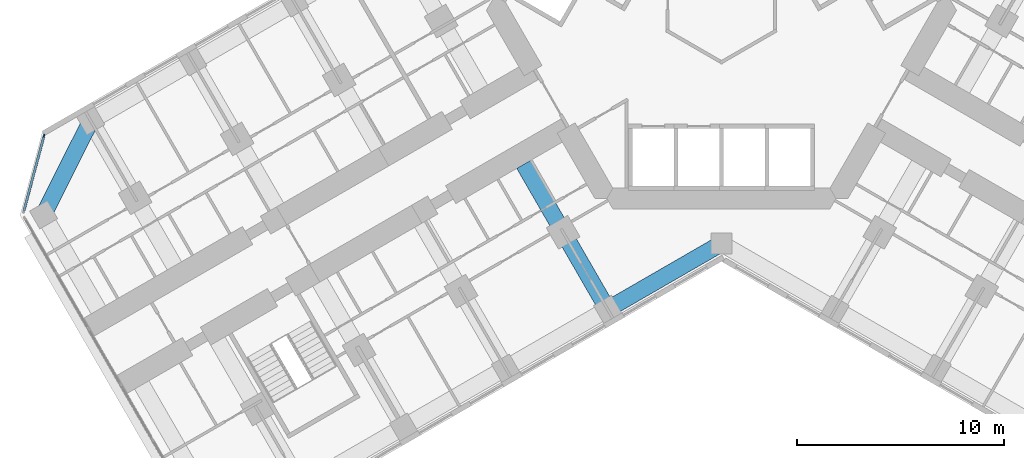
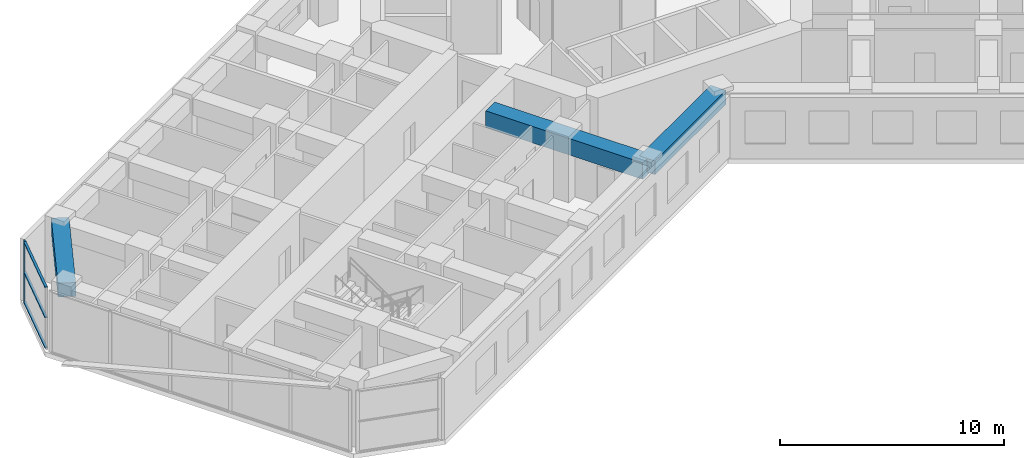
# One storey, part 3 of 21: 4 members, 3 beams, 1 element without a shape of its own.
"""IFC4 building model written with IfcOpenShell, lengths in metres."""

from ifc_helpers import new_model, si_unit, direction, frame, origin, origin_2d, place, context, subcontext, project, spatial, rectangle, extrude, material, material_profile, profile_set, type_object, element, aggregate, save


model = new_model("IFC4")

# Units and contexts
model_context = context("Model", 3, precision=1e-05, world=origin(), true_north=direction((0.0, 1.0)))
body_context = subcontext(model_context, "Body", "Model", "MODEL_VIEW")
ifc_project = project(units=[si_unit("LENGTHUNIT", "METRE"), si_unit("AREAUNIT", "SQUARE_METRE"), si_unit("VOLUMEUNIT", "CUBIC_METRE"), si_unit("PLANEANGLEUNIT", "RADIAN"), si_unit("MASSUNIT", "GRAM", prefix="KILO")], contexts=[model_context])

# Site, building, storey
site_placement = place(None, origin())
site = spatial("IfcSite", under=ifc_project, at=site_placement, CompositionType="ELEMENT")
building_placement = place(site_placement, origin())
building = spatial("IfcBuilding", under=site, at=building_placement, Name="Kosmar Iwan School Tower", CompositionType="ELEMENT")
storey_placement = place(building_placement, frame((0.0, 0.0, 46.60009765625)))
storey = spatial("IfcBuildingStorey", under=building, at=storey_placement, Name="L10", CompositionType="ELEMENT", Elevation=46.60009765625)

# Curtain wall, member
ifc_material_1 = material(Name="Dark glass in black aluminium frame", Category="aluminium")
curtain_wall_type = type_object("IfcCurtainWallType", Name="Chamfer curtain wall dark glass", PredefinedType="USERDEFINED", material=ifc_material_1)
curtain_wall_placement = place(storey_placement, origin())
curtain_wall = element("IfcCurtainWall", 1, at=curtain_wall_placement, inside=storey, type_object=curtain_wall_type, Name="Curtain wall L10-F12", ObjectType="FACETED CURTAIN WALL", PredefinedType="USERDEFINED")
ifc_material_2 = material(Name="Black anodised aluminium", Category="aluminium")
ifc_material_profile_1 = material_profile(ifc_material_2, rectangle(XDim=0.06005859375, YDim=0.159912109375, at=origin_2d()), Name="MULLION 60x160")
ifc_profile_set_1 = profile_set([ifc_material_profile_1], Name="Black anodised aluminium")
member_type_1 = type_object("IfcMemberType", Name="Mullion 60x160", PredefinedType="MULLION", material=ifc_profile_set_1)
member_1_placement = place(storey_placement, frame((-32.78076171875, -6.5732421875, 0.0), z_axis=(0.0, 0.0, 1.0), x_axis=(0.965925875495, -0.258818861462, 0.0)))
member_1 = element("IfcMember", 2, at=member_1_placement, type_object=member_type_1, Name="CW2 mullion 1", PredefinedType="MULLION", context=body_context, shape_type="SweptSolid", body=[
    extrude(rectangle(XDim=0.06005859375, YDim=0.159912109375, at=origin_2d()), origin(), (0.0, 0.0, 1.0), 3.349853515625),
])

# Beams
ifc_material_3 = material(Name="Concrete C50/60", Category="concrete")
ifc_material_profile_2 = material_profile(ifc_material_3, rectangle(XDim=0.800048828125, YDim=0.75, at=origin_2d()), Name="RC 800x750")
ifc_profile_set_2 = profile_set([ifc_material_profile_2], Name="Concrete C50/60")
beam_type_1 = type_object("IfcBeamType", Name="RC edge beam 800x750", PredefinedType="BEAM", material=ifc_profile_set_2)
beam_1_placement = place(storey_placement, frame((0.0, -11.77783203125, 2.974853515625), z_axis=(-0.866014293216, -0.500019243575, 0.0), x_axis=(0.500019243575, -0.866014293216, 0.0)))
element("IfcBeam", 3, at=beam_1_placement, inside=storey, type_object=beam_type_1, Name="Edge beam BL1", PredefinedType="BEAM", context=body_context, shape_type="SweptSolid", body=[
    extrude(rectangle(XDim=0.800048828125, YDim=0.75, at=origin_2d()), origin(), (0.0, 0.0, 1.0), 6.361083984375),
])
ifc_material_4 = material(Name="Concrete C50/60", Category="concrete")
ifc_material_profile_3 = material_profile(ifc_material_4, rectangle(XDim=0.800048828125, YDim=0.75, at=origin_2d()), Name="RC 800x750")
ifc_profile_set_3 = profile_set([ifc_material_profile_3], Name="Concrete C50/60")
beam_type_2 = type_object("IfcBeamType", Name="RC tip beam 800x750", PredefinedType="BEAM", material=ifc_profile_set_3)
beam_2_placement = place(storey_placement, frame((-30.517822265625, -5.841552734375, 2.974853515625), z_axis=(-0.44809604203, -0.893985423325, 0.0), x_axis=(0.893985423325, -0.44809604203, 0.0)))
element("IfcBeam", 4, at=beam_2_placement, inside=storey, type_object=beam_type_2, Name="Tip beam BR", PredefinedType="BEAM", context=body_context, shape_type="SweptSolid", body=[
    extrude(rectangle(XDim=0.800048828125, YDim=0.75, at=origin_2d()), origin(), (0.0, 0.0, 1.0), 5.08935546875),
])
ifc_material_5 = material(Name="Concrete C50/60", Category="concrete")
ifc_material_profile_4 = material_profile(ifc_material_5, rectangle(XDim=0.800048828125, YDim=0.89990234375, at=origin_2d()), Name="RC 800x900")
ifc_profile_set_4 = profile_set([ifc_material_profile_4], Name="Concrete C50/60")
beam_type_3 = type_object("IfcBeamType", Name="RC transverse beam 800x900", PredefinedType="BEAM", material=ifc_profile_set_4)
beam_3_placement = place(storey_placement, frame((-5.5087890625, -14.95849609375, 2.89990234375), z_axis=(-0.499999880539, 0.866025472755, 0.0), x_axis=(-0.866025472755, -0.499999880539, 0.0)))
element("IfcBeam", 5, at=beam_3_placement, inside=storey, type_object=beam_type_3, Name="Transverse beam BL1", PredefinedType="BEAM", context=body_context, shape_type="SweptSolid", body=[
    extrude(rectangle(XDim=0.800048828125, YDim=0.89990234375, at=origin_2d()), origin(), (0.0, 0.0, 1.0), 8.10009765625),
])

# Member
ifc_material_6 = material(Name="Black anodised aluminium", Category="aluminium")
ifc_material_profile_5 = material_profile(ifc_material_6, rectangle(XDim=0.1201171875, YDim=0.06005859375, at=origin_2d()), Name="TRANSOM 60x120")
ifc_profile_set_5 = profile_set([ifc_material_profile_5], Name="Black anodised aluminium")
member_type_2 = type_object("IfcMemberType", Name="Transom 60x120", PredefinedType="USERDEFINED", material=ifc_profile_set_5)
member_2_placement = place(storey_placement, frame((-32.788330078125, -6.602294921875, 0.02978515625), z_axis=(-0.258843273983, -0.965919333854, 0.0), x_axis=(0.965919333854, -0.258843273983, 0.0)))
member_2 = element("IfcMember", 6, at=member_2_placement, type_object=member_type_2, Name="CW2 transom 1.1", ObjectType="TRANSOM", PredefinedType="USERDEFINED", context=body_context, shape_type="SweptSolid", body=[
    extrude(rectangle(XDim=0.1201171875, YDim=0.06005859375, at=origin_2d()), origin(), (0.0, 0.0, 1.0), 3.718994140625),
])

member_3_placement = place(storey_placement, frame((-32.788330078125, -6.602294921875, 1.6748046875), z_axis=(-0.258843273983, -0.965919333854, 0.0), x_axis=(0.965919333854, -0.258843273983, 0.0)))
member_3 = element("IfcMember", 7, at=member_3_placement, type_object=member_type_2, Name="CW2 transom 1.2", ObjectType="TRANSOM", PredefinedType="USERDEFINED", context=body_context, shape_type="SweptSolid", body=[
    extrude(rectangle(XDim=0.1201171875, YDim=0.06005859375, at=origin_2d()), origin(), (0.0, 0.0, 1.0), 3.718994140625),
])

member_4_placement = place(storey_placement, frame((-32.788330078125, -6.602294921875, 3.31982421875), z_axis=(-0.258843273983, -0.965919333854, 0.0), x_axis=(0.965919333854, -0.258843273983, 0.0)))
member_4 = element("IfcMember", 8, at=member_4_placement, type_object=member_type_2, Name="CW2 transom 1.3", ObjectType="TRANSOM", PredefinedType="USERDEFINED", context=body_context, shape_type="SweptSolid", body=[
    extrude(rectangle(XDim=0.1201171875, YDim=0.06005859375, at=origin_2d()), origin(), (0.0, 0.0, 1.0), 3.718994140625),
])

aggregate(curtain_wall, [member_1, member_2, member_3, member_4])

save(model, "model.ifc")
